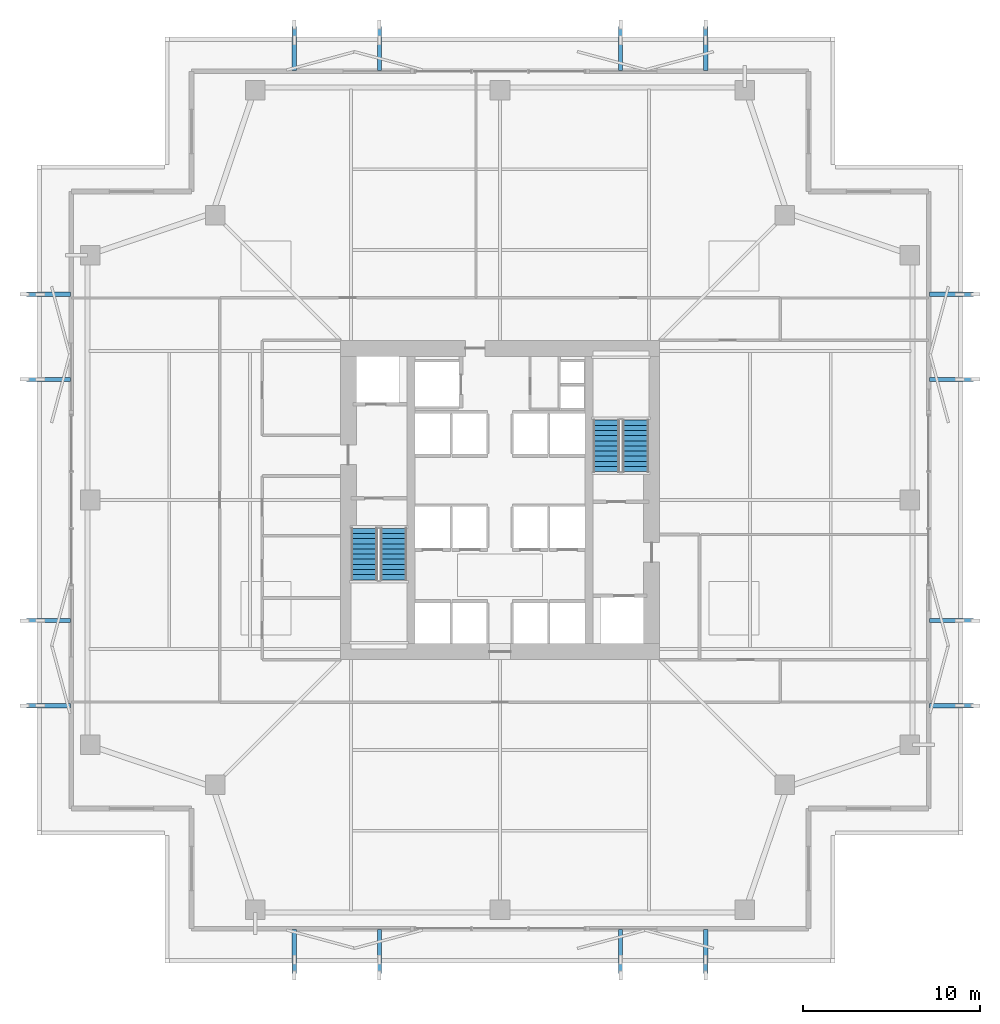
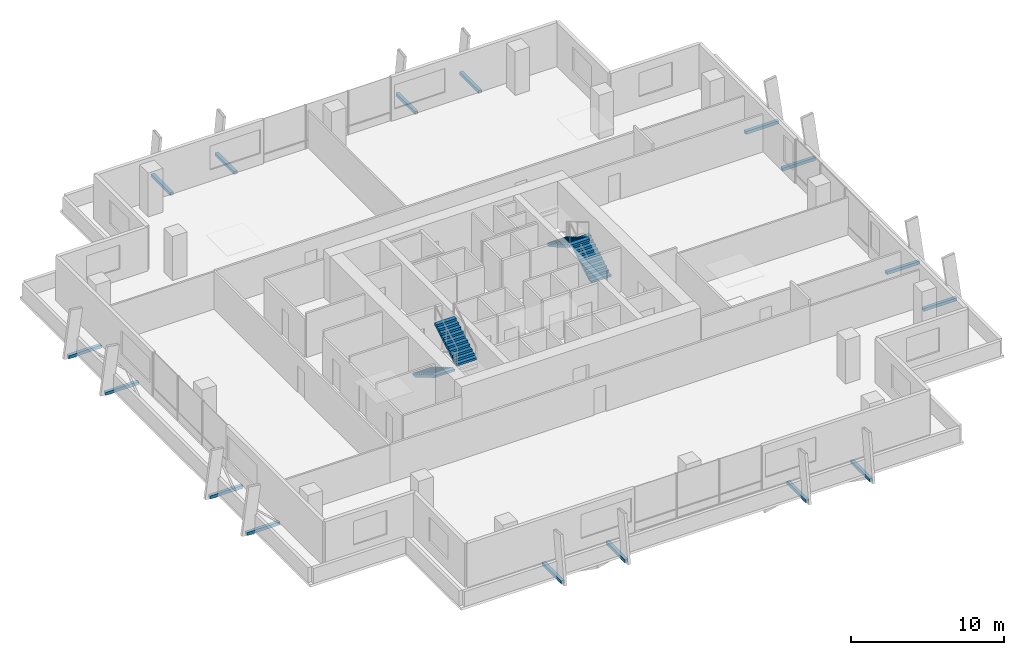
# One storey, part 15 of 16: 16 discrete accessories, 4 stair flights, 2 elements without a shape of their own.
"""IFC4 building model written with IfcOpenShell, lengths in metres."""

from ifc_helpers import new_model, si_unit, direction, frame, origin, origin_2d, place, context, subcontext, project, spatial, polyline, rectangle, outline, extrude, material, layer, layer_set, type_object, element, aggregate, save


model = new_model("IFC4")

# Units and contexts
model_context = context("Model", 3, precision=1e-05, world=origin(), true_north=direction((0.0, 1.0)))
body_context = subcontext(model_context, "Body", "Model", "MODEL_VIEW")
ifc_project = project(units=[si_unit("LENGTHUNIT", "METRE"), si_unit("AREAUNIT", "SQUARE_METRE"), si_unit("VOLUMEUNIT", "CUBIC_METRE"), si_unit("PLANEANGLEUNIT", "RADIAN"), si_unit("MASSUNIT", "GRAM", prefix="KILO")], contexts=[model_context])

# Site, building, storey
site_placement = place(None, origin())
site = spatial("IfcSite", under=ifc_project, at=site_placement, CompositionType="ELEMENT")
building_placement = place(site_placement, origin())
building = spatial("IfcBuilding", under=site, at=building_placement, Name="Belovzor Exchange Tower", CompositionType="ELEMENT")
storey_placement = place(building_placement, frame((0.0, 0.0, 138.300048828125)))
storey = spatial("IfcBuildingStorey", under=building, at=storey_placement, Name="L33", CompositionType="ELEMENT", Elevation=138.300048828125)

# Stair, stair flights
ifc_material_1 = material(Name="Concrete C40/50", Category="concrete")
stair_type = type_object("IfcStairType", Name="Reinforced Concrete Dogleg Escape Stair 1350", PredefinedType="HALF_TURN_STAIR", material=ifc_material_1)
stair_1_placement = place(storey_placement, origin())
stair_1 = element("IfcStair", 1, at=stair_1_placement, inside=storey, type_object=stair_type, Name="L33 ST-1", PredefinedType="HALF_TURN_STAIR")
ifc_material_2 = material(Name="Concrete C40/50", Category="concrete")
stair_flight_type = type_object("IfcStairFlightType", Name="Reinforced Concrete Stair Flight 1350", PredefinedType="STRAIGHT", material=ifc_material_2)
stair_flight_1_placement = place(storey_placement, frame((21.14990234375, 27.199951171875, 0.0), z_axis=(0.0, 0.0, 1.0), x_axis=(0.0, -1.0, 0.0)))
stair_flight_1 = element("IfcStairFlight", 2, at=stair_flight_1_placement, type_object=stair_flight_type, Name="ST-1 flight 1", NumberOfRisers=11, NumberOfTreads=10, PredefinedType="STRAIGHT", RiserHeight=0.170454545, TreadLength=0.29, context=body_context, shape_type="SweptSolid", body=[
    extrude(outline(polyline([(0.0, 0.0), (0.0, 0.17041015625), (0.2900390625, 0.17041015625), (0.2900390625, 0.3408203125), (0.580078125, 0.3408203125), (0.580078125, 0.511474609375), (0.8701171875, 0.511474609375), (0.8701171875, 0.681884765625), (1.159912109375, 0.681884765625), (1.159912109375, 0.852294921875), (1.449951171875, 0.852294921875), (1.449951171875, 1.022705078125), (1.739990234375, 1.022705078125), (1.739990234375, 1.193115234375), (2.030029296875, 1.193115234375), (2.030029296875, 1.363525390625), (2.320068359375, 1.363525390625), (2.320068359375, 1.5341796875), (2.610107421875, 1.5341796875), (2.610107421875, 1.70458984375), (2.89990234375, 1.70458984375), (2.89990234375, 1.875), (2.89990234375, 1.53076171875), (0.2958984375, 0.0), (0.0, 0.0)])), frame((0.0, 0.75, 0.0), z_axis=(0.0, -1.0, 0.0), x_axis=(1.0, 0.0, 0.0)), (0.0, 0.0, 1.0), 1.5),
])
stair_flight_2_placement = place(storey_placement, frame((22.800048828125, 24.300048828125, 1.875), z_axis=(0.0, 0.0, 1.0), x_axis=(0.0, 1.0, 0.0)))
stair_flight_2 = element("IfcStairFlight", 3, at=stair_flight_2_placement, type_object=stair_flight_type, Name="ST-1 flight 2", NumberOfRisers=11, NumberOfTreads=10, PredefinedType="STRAIGHT", RiserHeight=0.170454545, TreadLength=0.29, context=body_context, shape_type="SweptSolid", body=[
    extrude(outline(polyline([(0.0, 0.0), (0.0, 0.17041015625), (0.2900390625, 0.17041015625), (0.2900390625, 0.3408203125), (0.580078125, 0.3408203125), (0.580078125, 0.511474609375), (0.8701171875, 0.511474609375), (0.8701171875, 0.681884765625), (1.159912109375, 0.681884765625), (1.159912109375, 0.852294921875), (1.449951171875, 0.852294921875), (1.449951171875, 1.022705078125), (1.739990234375, 1.022705078125), (1.739990234375, 1.193115234375), (2.030029296875, 1.193115234375), (2.030029296875, 1.363525390625), (2.320068359375, 1.363525390625), (2.320068359375, 1.5341796875), (2.610107421875, 1.5341796875), (2.610107421875, 1.70458984375), (2.89990234375, 1.70458984375), (2.89990234375, 1.875), (2.89990234375, 1.53076171875), (0.2958984375, 0.0), (0.0, 0.0)])), frame((0.0, 0.75, 0.0), z_axis=(0.0, -1.0, 0.0), x_axis=(1.0, 0.0, 0.0)), (0.0, 0.0, 1.0), 1.5),
])
aggregate(stair_1, [stair_flight_1, stair_flight_2])

stair_2_placement = place(storey_placement, origin())
stair_2 = element("IfcStair", 4, at=stair_2_placement, inside=storey, type_object=stair_type, Name="L33 ST-2", PredefinedType="HALF_TURN_STAIR")
stair_flight_3_placement = place(storey_placement, frame((36.449951171875, 30.39990234375, 0.0), z_axis=(0.0, 0.0, 1.0), x_axis=(0.0, 1.0, 0.0)))
stair_flight_3 = element("IfcStairFlight", 5, at=stair_flight_3_placement, type_object=stair_flight_type, Name="ST-2 flight 1", NumberOfRisers=11, NumberOfTreads=10, PredefinedType="STRAIGHT", RiserHeight=0.170454545, TreadLength=0.29, context=body_context, shape_type="SweptSolid", body=[
    extrude(outline(polyline([(0.0, 0.0), (0.0, 0.17041015625), (0.2900390625, 0.17041015625), (0.2900390625, 0.3408203125), (0.580078125, 0.3408203125), (0.580078125, 0.511474609375), (0.8701171875, 0.511474609375), (0.8701171875, 0.681884765625), (1.159912109375, 0.681884765625), (1.159912109375, 0.852294921875), (1.449951171875, 0.852294921875), (1.449951171875, 1.022705078125), (1.739990234375, 1.022705078125), (1.739990234375, 1.193115234375), (2.030029296875, 1.193115234375), (2.030029296875, 1.363525390625), (2.320068359375, 1.363525390625), (2.320068359375, 1.5341796875), (2.610107421875, 1.5341796875), (2.610107421875, 1.70458984375), (2.89990234375, 1.70458984375), (2.89990234375, 1.875), (2.89990234375, 1.53076171875), (0.2958984375, 0.0), (0.0, 0.0)])), frame((0.0, 0.75, 0.0), z_axis=(0.0, -1.0, 0.0), x_axis=(1.0, 0.0, 0.0)), (0.0, 0.0, 1.0), 1.5),
])
stair_flight_4_placement = place(storey_placement, frame((34.800048828125, 33.300048828125, 1.875), z_axis=(0.0, 0.0, 1.0), x_axis=(0.0, -1.0, 0.0)))
stair_flight_4 = element("IfcStairFlight", 6, at=stair_flight_4_placement, type_object=stair_flight_type, Name="ST-2 flight 2", NumberOfRisers=11, NumberOfTreads=10, PredefinedType="STRAIGHT", RiserHeight=0.170454545, TreadLength=0.29, context=body_context, shape_type="SweptSolid", body=[
    extrude(outline(polyline([(0.0, 0.0), (0.0, 0.17041015625), (0.2900390625, 0.17041015625), (0.2900390625, 0.3408203125), (0.580078125, 0.3408203125), (0.580078125, 0.511474609375), (0.8701171875, 0.511474609375), (0.8701171875, 0.681884765625), (1.159912109375, 0.681884765625), (1.159912109375, 0.852294921875), (1.449951171875, 0.852294921875), (1.449951171875, 1.022705078125), (1.739990234375, 1.022705078125), (1.739990234375, 1.193115234375), (2.030029296875, 1.193115234375), (2.030029296875, 1.363525390625), (2.320068359375, 1.363525390625), (2.320068359375, 1.5341796875), (2.610107421875, 1.5341796875), (2.610107421875, 1.70458984375), (2.89990234375, 1.70458984375), (2.89990234375, 1.875), (2.89990234375, 1.53076171875), (0.2958984375, 0.0), (0.0, 0.0)])), frame((0.0, 0.75, 0.0), z_axis=(0.0, -1.0, 0.0), x_axis=(1.0, 0.0, 0.0)), (0.0, 0.0, 1.0), 1.5),
])
aggregate(stair_2, [stair_flight_3, stair_flight_4])

# Discrete accessories
ifc_material_3 = material(Name="Stainless Steel Grade 316", Category="steel")
ifc_layer = layer(ifc_material_3, 0.179931640625)
ifc_layer_set = layer_set([ifc_layer], Name="Stainless Steel Grade 316")
discrete_accessory_type = type_object("IfcDiscreteAccessoryType", Name="Stainless Steel Facade Outrigger Fixing Bracket", PredefinedType="BRACKET", material=ifc_layer_set)
for number, where, z_axis, x_axis, name in (
    (7, (17.199951171875, 3.337890625, -0.2470703125), (0.0, 0.0, 1.0), (0.0, 1.0, 0.0), "BRK-FIN1 Sweeping Fin Outrigger Bracket L33 S1"),
    (8, (17.199951171875, 54.262939453125, -0.2470703125), (0.0, 0.0, 1.0), (0.0, 1.0, 0.0), "BRK-FIN1 Sweeping Fin Outrigger Bracket L33 N1"),
    (9, (3.337890625, 17.199951171875, -0.2470703125), (0.0, 0.0, 1.0), (1.0, 0.0, 0.0), "BRK-FIN1 Sweeping Fin Outrigger Bracket L33 W1"),
    (10, (54.262939453125, 17.199951171875, -0.2470703125), (0.0, 0.0, 1.0), (1.0, 0.0, 0.0), "BRK-FIN1 Sweeping Fin Outrigger Bracket L33 E1"),
    (11, (22.0, 3.337890625, -0.2470703125), (0.0, 0.0, 1.0), (0.0, 1.0, 0.0), "BRK-FIN1 Sweeping Fin Outrigger Bracket L33 S2"),
    (12, (22.0, 54.262939453125, -0.2470703125), (0.0, 0.0, 1.0), (0.0, 1.0, 0.0), "BRK-FIN1 Sweeping Fin Outrigger Bracket L33 N2"),
    (13, (3.337890625, 22.0, -0.2470703125), (0.0, 0.0, 1.0), (1.0, 0.0, 0.0), "BRK-FIN1 Sweeping Fin Outrigger Bracket L33 W2"),
    (14, (54.262939453125, 22.0, -0.2470703125), (0.0, 0.0, 1.0), (1.0, 0.0, 0.0), "BRK-FIN1 Sweeping Fin Outrigger Bracket L33 E2"),
    (15, (35.60009765625, 3.337890625, -0.2470703125), (0.0, 0.0, 1.0), (0.0, 1.0, 0.0), "BRK-FIN1 Sweeping Fin Outrigger Bracket L33 S3"),
    (16, (35.60009765625, 54.262939453125, -0.2470703125), (0.0, 0.0, 1.0), (0.0, 1.0, 0.0), "BRK-FIN1 Sweeping Fin Outrigger Bracket L33 N3"),
    (17, (3.337890625, 35.60009765625, -0.2470703125), (0.0, 0.0, 1.0), (1.0, 0.0, 0.0), "BRK-FIN1 Sweeping Fin Outrigger Bracket L33 W3"),
    (18, (54.262939453125, 35.60009765625, -0.2470703125), (0.0, 0.0, 1.0), (1.0, 0.0, 0.0), "BRK-FIN1 Sweeping Fin Outrigger Bracket L33 E3"),
    (19, (40.39990234375, 3.337890625, -0.2470703125), (0.0, 0.0, 1.0), (0.0, 1.0, 0.0), "BRK-FIN1 Sweeping Fin Outrigger Bracket L33 S4"),
    (20, (40.39990234375, 54.262939453125, -0.2470703125), (0.0, 0.0, 1.0), (0.0, 1.0, 0.0), "BRK-FIN1 Sweeping Fin Outrigger Bracket L33 N4"),
    (21, (3.337890625, 40.39990234375, -0.2470703125), (0.0, 0.0, 1.0), (1.0, 0.0, 0.0), "BRK-FIN1 Sweeping Fin Outrigger Bracket L33 W4"),
    (22, (54.262939453125, 40.39990234375, -0.2470703125), (0.0, 0.0, 1.0), (1.0, 0.0, 0.0), "BRK-FIN1 Sweeping Fin Outrigger Bracket L33 E4"),
):
    element("IfcDiscreteAccessory", number, at=place(storey_placement, frame(where, z_axis=z_axis, x_axis=x_axis)), inside=storey, type_object=discrete_accessory_type, Name=name, PredefinedType="BRACKET", context=body_context, shape_type="SweptSolid", body=[
        extrude(rectangle(XDim=2.485107421875, YDim=0.239990234375, at=origin_2d()), origin(), (0.0, 0.0, 1.0), 0.239990234375),
    ])

save(model, "model.ifc")
